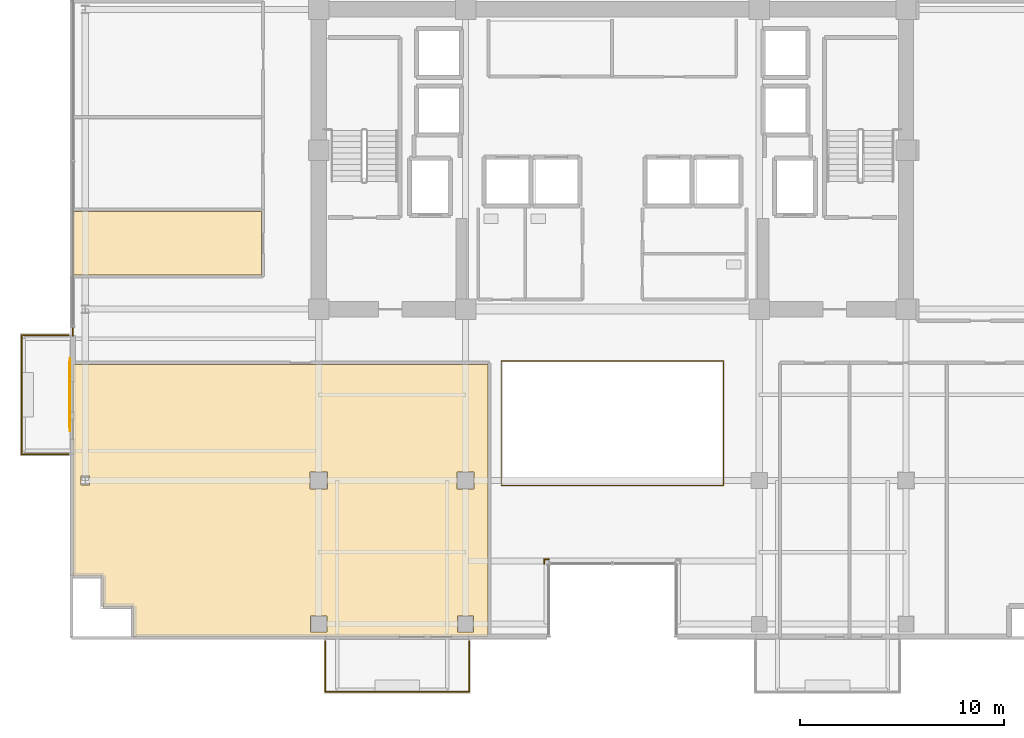
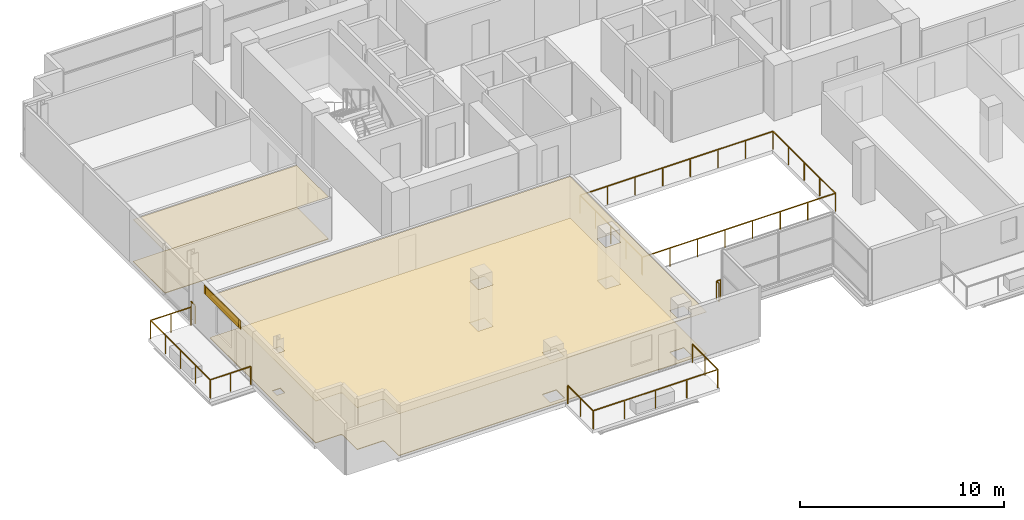
# One storey, part 18 of 21: 6 railings, 5 coverings, 1 shading device.
"""IFC4 building model written with IfcOpenShell, lengths in metres."""

from ifc_helpers import new_model, si_unit, direction, frame, origin, origin_2d, place, context, subcontext, project, spatial, polyline, rectangle, outline, extrude, source, transform, mapped, material, layer, layer_set, type_object, element, save


model = new_model("IFC4")

# Units and contexts
model_context = context("Model", 3, precision=1e-05, world=origin(), true_north=direction((0.0, 1.0)))
body_context = subcontext(model_context, "Body", "Model", "MODEL_VIEW")
ifc_project = project(units=[si_unit("LENGTHUNIT", "METRE"), si_unit("AREAUNIT", "SQUARE_METRE"), si_unit("VOLUMEUNIT", "CUBIC_METRE"), si_unit("PLANEANGLEUNIT", "RADIAN"), si_unit("MASSUNIT", "GRAM", prefix="KILO")], contexts=[model_context])

# Site, building, storey
site_placement = place(None, origin())
site = spatial("IfcSite", under=ifc_project, at=site_placement, CompositionType="ELEMENT")
building_placement = place(site_placement, origin())
building = spatial("IfcBuilding", under=site, at=building_placement, Name="Zarnakvel Exchange Tower", CompositionType="ELEMENT")
storey_placement = place(building_placement, frame((0.0, 0.0, 152.800048828125)))
storey = spatial("IfcBuildingStorey", under=building, at=storey_placement, Name="L42", CompositionType="ELEMENT", Elevation=152.800048828125)

# Coverings
ifc_material_1 = material(Name="Perforated Bronze Acoustic Metal Ceiling", Category="aluminium")
ifc_layer_1 = layer(ifc_material_1, 0.02001953125)
ifc_layer_set_1 = layer_set([ifc_layer_1], Name="Perforated Bronze Acoustic Metal Ceiling")
covering_type_1 = type_object("IfcCoveringType", Name="CLG-01", PredefinedType="CEILING", material=ifc_layer_set_1)
covering_1_placement = place(storey_placement, frame((0.0, 0.0, 2.5048828125)))
element("IfcCovering", 1, at=covering_1_placement, inside=storey, type_object=covering_type_1, Name="L42 Suspended Acoustic Ceiling (Institutional Dealing Room)", PredefinedType="CEILING", context=body_context, shape_type="SweptSolid", body=[
    extrude(outline(polyline([(-6.10009765625, -3.909912109375), (-6.10009765625, -17.25), (-23.47998046875, -17.25), (-23.47998046875, -15.89990234375), (-23.48046875, -15.88818359375), (-23.482421875, -15.876708984375), (-23.485107421875, -15.865234375), (-23.489013671875, -15.85400390625), (-23.494140625, -15.843505859375), (-23.500244140625, -15.833251953125), (-23.50732421875, -15.823974609375), (-23.51513671875, -15.815185546875), (-23.52392578125, -15.80712890625), (-23.533447265625, -15.80029296875), (-23.54345703125, -15.794189453125), (-23.55419921875, -15.7890625), (-23.565185546875, -15.78515625), (-23.57666015625, -15.7822265625), (-23.588134765625, -15.780517578125), (-23.60009765625, -15.780029296875), (-24.97998046875, -15.780029296875), (-24.97998046875, -14.39990234375), (-24.98046875, -14.38818359375), (-24.982421875, -14.376708984375), (-24.985107421875, -14.365234375), (-24.989013671875, -14.35400390625), (-24.994140625, -14.343505859375), (-25.000244140625, -14.333251953125), (-25.00732421875, -14.323974609375), (-25.01513671875, -14.315185546875), (-25.02392578125, -14.30712890625), (-25.033447265625, -14.30029296875), (-25.04345703125, -14.294189453125), (-25.05419921875, -14.2890625), (-25.065185546875, -14.28515625), (-25.07666015625, -14.2822265625), (-25.088134765625, -14.280517578125), (-25.10009765625, -14.280029296875), (-26.449951171875, -14.280029296875), (-26.449951171875, -3.909912109375), (-6.10009765625, -3.909912109375)]), holes=[polyline([(-6.780029296875, -10.02001953125), (-6.780029296875, -9.179931640625), (-7.6201171875, -9.179931640625), (-7.6201171875, -10.02001953125), (-6.780029296875, -10.02001953125)]), polyline([(-6.804931640625, -17.044921875), (-6.804931640625, -16.2548828125), (-7.594970703125, -16.2548828125), (-7.594970703125, -17.044921875), (-6.804931640625, -17.044921875)]), polyline([(-13.97998046875, -10.02001953125), (-13.97998046875, -9.179931640625), (-14.820068359375, -9.179931640625), (-14.820068359375, -10.02001953125), (-13.97998046875, -10.02001953125)]), polyline([(-14.0048828125, -16.2548828125), (-14.794921875, -16.2548828125), (-14.794921875, -17.044921875), (-14.0048828125, -17.044921875), (-14.0048828125, -16.2548828125)]), polyline([(-25.630615234375, -9.81689453125), (-25.630615234375, -9.38330078125), (-26.069580078125, -9.38330078125), (-26.069580078125, -9.81689453125), (-25.630615234375, -9.81689453125)])]), origin(), (0.0, 0.0, 1.0), 0.02001953125),
])
covering_2_placement = place(storey_placement, frame((0.0, 0.0, 2.5048828125)))
element("IfcCovering", 2, at=covering_2_placement, inside=storey, type_object=covering_type_1, Name="L42 Suspended Acoustic Ceiling (Breakout Pantry)", PredefinedType="CEILING", context=body_context, shape_type="SweptSolid", body=[
    extrude(outline(polyline([(-26.449951171875, 3.598388671875), (-17.2099609375, 3.598388671875), (-17.2099609375, 0.47119140625), (-26.449951171875, 0.47119140625), (-26.449951171875, 3.598388671875)])), origin(), (0.0, 0.0, 1.0), 0.02001953125),
])
ifc_material_2 = material(Name="Heavy-Duty Raised Access Floor Panel", Category="steel")
ifc_layer_2 = layer(ifc_material_2, 0.034912109375)
ifc_layer_set_2 = layer_set([ifc_layer_2], Name="Heavy-Duty Raised Access Floor Panel")
covering_type_2 = type_object("IfcCoveringType", Name="FLR-02", PredefinedType="FLOORING", material=ifc_layer_set_2)
covering_3_placement = place(storey_placement, origin())
element("IfcCovering", 3, at=covering_3_placement, inside=storey, type_object=covering_type_2, Name="L42 Floor Finish (Institutional Dealing Room)", PredefinedType="FLOORING", context=body_context, shape_type="SweptSolid", body=[
    extrude(outline(polyline([(-6.10009765625, -3.909912109375), (-6.10009765625, -17.25), (-23.47998046875, -17.25), (-23.47998046875, -15.89990234375), (-23.48046875, -15.88818359375), (-23.482421875, -15.876708984375), (-23.485107421875, -15.865234375), (-23.489013671875, -15.85400390625), (-23.494140625, -15.843505859375), (-23.500244140625, -15.833251953125), (-23.50732421875, -15.823974609375), (-23.51513671875, -15.815185546875), (-23.52392578125, -15.80712890625), (-23.533447265625, -15.80029296875), (-23.54345703125, -15.794189453125), (-23.55419921875, -15.7890625), (-23.565185546875, -15.78515625), (-23.57666015625, -15.7822265625), (-23.588134765625, -15.780517578125), (-23.60009765625, -15.780029296875), (-24.97998046875, -15.780029296875), (-24.97998046875, -14.39990234375), (-24.98046875, -14.38818359375), (-24.982421875, -14.376708984375), (-24.985107421875, -14.365234375), (-24.989013671875, -14.35400390625), (-24.994140625, -14.343505859375), (-25.000244140625, -14.333251953125), (-25.00732421875, -14.323974609375), (-25.01513671875, -14.315185546875), (-25.02392578125, -14.30712890625), (-25.033447265625, -14.30029296875), (-25.04345703125, -14.294189453125), (-25.05419921875, -14.2890625), (-25.065185546875, -14.28515625), (-25.07666015625, -14.2822265625), (-25.088134765625, -14.280517578125), (-25.10009765625, -14.280029296875), (-26.449951171875, -14.280029296875), (-26.449951171875, -3.909912109375), (-6.10009765625, -3.909912109375)]), holes=[polyline([(-6.780029296875, -10.02001953125), (-6.780029296875, -9.179931640625), (-7.6201171875, -9.179931640625), (-7.6201171875, -10.02001953125), (-6.780029296875, -10.02001953125)]), polyline([(-6.804931640625, -17.044921875), (-6.804931640625, -16.2548828125), (-7.594970703125, -16.2548828125), (-7.594970703125, -17.044921875), (-6.804931640625, -17.044921875)]), polyline([(-13.97998046875, -10.02001953125), (-13.97998046875, -9.179931640625), (-14.820068359375, -9.179931640625), (-14.820068359375, -10.02001953125), (-13.97998046875, -10.02001953125)]), polyline([(-14.0048828125, -16.2548828125), (-14.794921875, -16.2548828125), (-14.794921875, -17.044921875), (-14.0048828125, -17.044921875), (-14.0048828125, -16.2548828125)]), polyline([(-25.630615234375, -9.81689453125), (-25.630615234375, -9.38330078125), (-26.069580078125, -9.38330078125), (-26.069580078125, -9.81689453125), (-25.630615234375, -9.81689453125)])]), origin(), (0.0, 0.0, 1.0), 0.034912109375),
])
covering_4_placement = place(storey_placement, origin())
element("IfcCovering", 4, at=covering_4_placement, inside=storey, type_object=covering_type_2, Name="L42 Floor Finish (Breakout Pantry)", PredefinedType="FLOORING", context=body_context, shape_type="SweptSolid", body=[
    extrude(outline(polyline([(-26.449951171875, 3.598388671875), (-17.2099609375, 3.598388671875), (-17.2099609375, 0.47119140625), (-26.449951171875, 0.47119140625), (-26.449951171875, 3.598388671875)])), origin(), (0.0, 0.0, 1.0), 0.034912109375),
])

# Railings
ifc_material_3 = material(Name="Architectural Bronze Anodised Aluminium", Category="aluminium")
railing_type_1 = type_object("IfcRailingType", Name="GR-02", PredefinedType="GUARDRAIL", material=ifc_material_3)
railing_1_placement = place(storey_placement, frame((-14.070068359375, -17.47998046875, -0.03515625)))
element("IfcRailing", 5, at=railing_1_placement, inside=storey, type_object=railing_type_1, Name="L42 Balcony Guardrail BAL-L42-SW", PredefinedType="GUARDRAIL", context=body_context, shape_type="SweptSolid", body=[
    extrude(rectangle(XDim=0.048095703125, YDim=0.048095703125, at=origin_2d()), frame((0.0, 0.0, 1.09619140625), z_axis=(0.0, -1.0, 0.0), x_axis=(1.0, 0.0, 0.0)), (0.0, 0.0, 1.0), 2.489990234375),
    extrude(rectangle(XDim=0.048095703125, YDim=0.048095703125, at=origin_2d()), frame((0.0, -2.489990234375, 1.09619140625), z_axis=(1.0, 0.0, 0.0), x_axis=(0.0, 1.0, 0.0)), (0.0, 0.0, 1.0), 7.0400390625),
    extrude(rectangle(XDim=0.048095703125, YDim=0.048095703125, at=origin_2d()), frame((7.0400390625, -2.489990234375, 1.09619140625), z_axis=(0.0, 1.0, 0.0), x_axis=(-1.0, 0.0, 0.0)), (0.0, 0.0, 1.0), 2.489990234375),
    extrude(rectangle(XDim=0.0419921875, YDim=0.0419921875, at=origin_2d()), origin(), (0.0, 0.0, 1.0), 1.072021484375),
    extrude(rectangle(XDim=0.0419921875, YDim=0.0419921875, at=origin_2d()), frame((0.0, -1.2451171875, 0.0)), (0.0, 0.0, 1.0), 1.072021484375),
    extrude(rectangle(XDim=0.0419921875, YDim=0.0419921875, at=origin_2d()), frame((0.0, -2.489990234375, 0.0)), (0.0, 0.0, 1.0), 1.072021484375),
    extrude(rectangle(XDim=0.0419921875, YDim=0.0419921875, at=origin_2d()), frame((1.760009765625, -2.489990234375, 0.0)), (0.0, 0.0, 1.0), 1.072021484375),
    extrude(rectangle(XDim=0.0419921875, YDim=0.0419921875, at=origin_2d()), frame((3.52001953125, -2.489990234375, 0.0)), (0.0, 0.0, 1.0), 1.072021484375),
    extrude(rectangle(XDim=0.0419921875, YDim=0.0419921875, at=origin_2d()), frame((5.280029296875, -2.489990234375, 0.0)), (0.0, 0.0, 1.0), 1.072021484375),
    extrude(rectangle(XDim=0.0419921875, YDim=0.0419921875, at=origin_2d()), frame((7.0400390625, -2.489990234375, 0.0)), (0.0, 0.0, 1.0), 1.072021484375),
    extrude(rectangle(XDim=0.0419921875, YDim=0.0419921875, at=origin_2d()), frame((7.0400390625, -1.2451171875, 0.0)), (0.0, 0.0, 1.0), 1.072021484375),
    extrude(rectangle(XDim=0.0419921875, YDim=0.0419921875, at=origin_2d()), frame((7.0400390625, 0.0, 0.0)), (0.0, 0.0, 1.0), 1.072021484375),
])
railing_2_placement = place(storey_placement, frame((-26.679931640625, -8.320068359375, -0.03515625)))
element("IfcRailing", 6, at=railing_2_placement, inside=storey, type_object=railing_type_1, Name="L42 Balcony Guardrail BAL-L42-W", PredefinedType="GUARDRAIL", context=body_context, shape_type="SweptSolid", body=[
    extrude(rectangle(XDim=0.048095703125, YDim=0.048095703125, at=origin_2d()), frame((0.0, 0.0, 1.09619140625), z_axis=(-1.0, 0.0, 0.0), x_axis=(0.0, -1.0, 0.0)), (0.0, 0.0, 1.0), 2.2900390625),
    extrude(rectangle(XDim=0.048095703125, YDim=0.048095703125, at=origin_2d()), frame((-2.2900390625, 0.0, 1.09619140625), z_axis=(0.0, 1.0, 0.0), x_axis=(-1.0, 0.0, 0.0)), (0.0, 0.0, 1.0), 5.840087890625),
    extrude(rectangle(XDim=0.048095703125, YDim=0.048095703125, at=origin_2d()), frame((-2.2900390625, 5.840087890625, 1.09619140625), z_axis=(1.0, 0.0, 0.0), x_axis=(0.0, 1.0, 0.0)), (0.0, 0.0, 1.0), 2.2900390625),
    extrude(rectangle(XDim=0.0419921875, YDim=0.0419921875, at=origin_2d()), origin(), (0.0, 0.0, 1.0), 1.072021484375),
    extrude(rectangle(XDim=0.0419921875, YDim=0.0419921875, at=origin_2d()), frame((-1.14501953125, 0.0, 0.0)), (0.0, 0.0, 1.0), 1.072021484375),
    extrude(rectangle(XDim=0.0419921875, YDim=0.0419921875, at=origin_2d()), frame((-2.2900390625, 0.0, 0.0)), (0.0, 0.0, 1.0), 1.072021484375),
    extrude(rectangle(XDim=0.0419921875, YDim=0.0419921875, at=origin_2d()), frame((-2.2900390625, 1.4599609375, 0.0)), (0.0, 0.0, 1.0), 1.072021484375),
    extrude(rectangle(XDim=0.0419921875, YDim=0.0419921875, at=origin_2d()), frame((-2.2900390625, 2.919921875, 0.0)), (0.0, 0.0, 1.0), 1.072021484375),
    extrude(rectangle(XDim=0.0419921875, YDim=0.0419921875, at=origin_2d()), frame((-2.2900390625, 4.380126953125, 0.0)), (0.0, 0.0, 1.0), 1.072021484375),
    extrude(rectangle(XDim=0.0419921875, YDim=0.0419921875, at=origin_2d()), frame((-2.2900390625, 5.840087890625, 0.0)), (0.0, 0.0, 1.0), 1.072021484375),
    extrude(rectangle(XDim=0.0419921875, YDim=0.0419921875, at=origin_2d()), frame((-1.14501953125, 5.840087890625, 0.0)), (0.0, 0.0, 1.0), 1.072021484375),
    extrude(rectangle(XDim=0.0419921875, YDim=0.0419921875, at=origin_2d()), frame((0.0, 5.840087890625, 0.0)), (0.0, 0.0, 1.0), 1.072021484375),
])
railing_3_placement = place(storey_placement, frame((-26.4599609375, -2.5, 0.0)))
element("IfcRailing", 7, at=railing_3_placement, inside=storey, type_object=railing_type_1, Name="L42 Corner Spandrel Balustrade #2", PredefinedType="GUARDRAIL", context=body_context, shape_type="SweptSolid", body=[
    extrude(rectangle(XDim=0.048095703125, YDim=0.048095703125, at=origin_2d()), frame((0.0, 0.0, 1.09619140625), z_axis=(0.0, 1.0, 0.0), x_axis=(-1.0, 0.0, 0.0)), (0.0, 0.0, 1.0), 0.39990234375),
    extrude(rectangle(XDim=0.0419921875, YDim=0.0419921875, at=origin_2d()), origin(), (0.0, 0.0, 1.0), 1.072021484375),
    extrude(rectangle(XDim=0.0419921875, YDim=0.0419921875, at=origin_2d()), frame((0.0, 0.39990234375, 0.0)), (0.0, 0.0, 1.0), 1.072021484375),
])
railing_4_placement = place(storey_placement, frame((-3.1201171875, -13.4599609375, 0.0)))
element("IfcRailing", 8, at=railing_4_placement, inside=storey, type_object=railing_type_1, Name="L42 Corner Spandrel Balustrade #19", PredefinedType="GUARDRAIL", context=body_context, shape_type="SweptSolid", body=[
    extrude(rectangle(XDim=0.048095703125, YDim=0.048095703125, at=origin_2d()), frame((0.0, 0.0, 1.09619140625), z_axis=(-1.0, 0.0, 0.0), x_axis=(0.0, -1.0, 0.0)), (0.0, 0.0, 1.0), 0.219970703125),
    extrude(rectangle(XDim=0.0419921875, YDim=0.0419921875, at=origin_2d()), origin(), (0.0, 0.0, 1.0), 1.072021484375),
    extrude(rectangle(XDim=0.0419921875, YDim=0.0419921875, at=origin_2d()), frame((-0.219970703125, 0.0, 0.0)), (0.0, 0.0, 1.0), 1.072021484375),
])
railing_5_placement = place(storey_placement, frame((-3.340087890625, -13.4599609375, 0.0)))
element("IfcRailing", 9, at=railing_5_placement, inside=storey, type_object=railing_type_1, Name="L42 Corner Spandrel Balustrade #20", PredefinedType="GUARDRAIL", context=body_context, shape_type="SweptSolid", body=[
    extrude(rectangle(XDim=0.048095703125, YDim=0.048095703125, at=origin_2d()), frame((0.0, 0.0, 1.09619140625), z_axis=(0.0, -1.0, 0.0), x_axis=(1.0, 0.0, 0.0)), (0.0, 0.0, 1.0), 0.219970703125),
    extrude(rectangle(XDim=0.0419921875, YDim=0.0419921875, at=origin_2d()), origin(), (0.0, 0.0, 1.0), 1.072021484375),
    extrude(rectangle(XDim=0.0419921875, YDim=0.0419921875, at=origin_2d()), frame((0.0, -0.219970703125, 0.0)), (0.0, 0.0, 1.0), 1.072021484375),
])
railing_type_2 = type_object("IfcRailingType", Name="GR-03", PredefinedType="GUARDRAIL", material=ifc_material_3)
railing_6_placement = place(storey_placement, frame((-5.449951171875, -9.85009765625, 0.0)))
element("IfcRailing", 10, at=railing_6_placement, inside=storey, type_object=railing_type_2, Name="L42 Atrium Void Perimeter Balustrade", PredefinedType="GUARDRAIL", context=body_context, shape_type="SweptSolid", body=[
    extrude(rectangle(XDim=0.048095703125, YDim=0.048095703125, at=origin_2d()), frame((0.0, 0.0, 1.076171875), z_axis=(1.0, 0.0, 0.0), x_axis=(0.0, 1.0, 0.0)), (0.0, 0.0, 1.0), 10.89990234375),
    extrude(rectangle(XDim=0.048095703125, YDim=0.048095703125, at=origin_2d()), frame((10.89990234375, 0.0, 1.076171875), z_axis=(0.0, 1.0, 0.0), x_axis=(-1.0, 0.0, 0.0)), (0.0, 0.0, 1.0), 6.10009765625),
    extrude(rectangle(XDim=0.048095703125, YDim=0.048095703125, at=origin_2d()), frame((10.89990234375, 6.10009765625, 1.076171875), z_axis=(-1.0, 0.0, 0.0), x_axis=(0.0, -1.0, 0.0)), (0.0, 0.0, 1.0), 10.89990234375),
    extrude(rectangle(XDim=0.048095703125, YDim=0.048095703125, at=origin_2d()), frame((0.0, 6.10009765625, 1.076171875), z_axis=(0.0, -1.0, 0.0), x_axis=(1.0, 0.0, 0.0)), (0.0, 0.0, 1.0), 6.02001953125),
    extrude(rectangle(XDim=0.0419921875, YDim=0.0419921875, at=origin_2d()), origin(), (0.0, 0.0, 1.0), 1.052001953125),
    extrude(rectangle(XDim=0.0419921875, YDim=0.0419921875, at=origin_2d()), frame((1.55712890625, 0.0, 0.0)), (0.0, 0.0, 1.0), 1.052001953125),
    extrude(rectangle(XDim=0.0419921875, YDim=0.0419921875, at=origin_2d()), frame((3.1142578125, 0.0, 0.0)), (0.0, 0.0, 1.0), 1.052001953125),
    extrude(rectangle(XDim=0.0419921875, YDim=0.0419921875, at=origin_2d()), frame((4.67138671875, 0.0, 0.0)), (0.0, 0.0, 1.0), 1.052001953125),
    extrude(rectangle(XDim=0.0419921875, YDim=0.0419921875, at=origin_2d()), frame((6.228515625, 0.0, 0.0)), (0.0, 0.0, 1.0), 1.052001953125),
    extrude(rectangle(XDim=0.0419921875, YDim=0.0419921875, at=origin_2d()), frame((7.78564453125, 0.0, 0.0)), (0.0, 0.0, 1.0), 1.052001953125),
    extrude(rectangle(XDim=0.0419921875, YDim=0.0419921875, at=origin_2d()), frame((9.3427734375, 0.0, 0.0)), (0.0, 0.0, 1.0), 1.052001953125),
    extrude(rectangle(XDim=0.0419921875, YDim=0.0419921875, at=origin_2d()), frame((10.89990234375, 0.0, 0.0)), (0.0, 0.0, 1.0), 1.052001953125),
    extrude(rectangle(XDim=0.0419921875, YDim=0.0419921875, at=origin_2d()), frame((10.89990234375, 1.52490234375, 0.0)), (0.0, 0.0, 1.0), 1.052001953125),
    extrude(rectangle(XDim=0.0419921875, YDim=0.0419921875, at=origin_2d()), frame((10.89990234375, 3.050048828125, 0.0)), (0.0, 0.0, 1.0), 1.052001953125),
    extrude(rectangle(XDim=0.0419921875, YDim=0.0419921875, at=origin_2d()), frame((10.89990234375, 4.5751953125, 0.0)), (0.0, 0.0, 1.0), 1.052001953125),
    extrude(rectangle(XDim=0.0419921875, YDim=0.0419921875, at=origin_2d()), frame((10.89990234375, 6.10009765625, 0.0)), (0.0, 0.0, 1.0), 1.052001953125),
    extrude(rectangle(XDim=0.0419921875, YDim=0.0419921875, at=origin_2d()), frame((9.3427734375, 6.10009765625, 0.0)), (0.0, 0.0, 1.0), 1.052001953125),
    extrude(rectangle(XDim=0.0419921875, YDim=0.0419921875, at=origin_2d()), frame((7.78564453125, 6.10009765625, 0.0)), (0.0, 0.0, 1.0), 1.052001953125),
    extrude(rectangle(XDim=0.0419921875, YDim=0.0419921875, at=origin_2d()), frame((6.228515625, 6.10009765625, 0.0)), (0.0, 0.0, 1.0), 1.052001953125),
    extrude(rectangle(XDim=0.0419921875, YDim=0.0419921875, at=origin_2d()), frame((4.67138671875, 6.10009765625, 0.0)), (0.0, 0.0, 1.0), 1.052001953125),
    extrude(rectangle(XDim=0.0419921875, YDim=0.0419921875, at=origin_2d()), frame((3.1142578125, 6.10009765625, 0.0)), (0.0, 0.0, 1.0), 1.052001953125),
    extrude(rectangle(XDim=0.0419921875, YDim=0.0419921875, at=origin_2d()), frame((1.55712890625, 6.10009765625, 0.0)), (0.0, 0.0, 1.0), 1.052001953125),
    extrude(rectangle(XDim=0.0419921875, YDim=0.0419921875, at=origin_2d()), frame((0.0, 6.10009765625, 0.0)), (0.0, 0.0, 1.0), 1.052001953125),
    extrude(rectangle(XDim=0.0419921875, YDim=0.0419921875, at=origin_2d()), frame((0.0, 4.59521484375, 0.0)), (0.0, 0.0, 1.0), 1.052001953125),
    extrude(rectangle(XDim=0.0419921875, YDim=0.0419921875, at=origin_2d()), frame((0.0, 3.090087890625, 0.0)), (0.0, 0.0, 1.0), 1.052001953125),
    extrude(rectangle(XDim=0.0419921875, YDim=0.0419921875, at=origin_2d()), frame((0.0, 1.5849609375, 0.0)), (0.0, 0.0, 1.0), 1.052001953125),
    extrude(rectangle(XDim=0.0419921875, YDim=0.0419921875, at=origin_2d()), frame((0.0, 0.080078125, 0.0)), (0.0, 0.0, 1.0), 1.052001953125),
])

# Covering
ifc_material_4 = material(Name="Warm Sandstone Terracotta Spandrel Tile", Category="masonry")
ifc_layer_3 = layer(ifc_material_4, 0.031982421875)
ifc_layer_set_3 = layer_set([ifc_layer_3], Name="Warm Sandstone Terracotta Spandrel Tile")
covering_type_3 = type_object("IfcCoveringType", Name="CL-02", PredefinedType="CLADDING", material=ifc_layer_set_3)
shared_shape_1 = source(origin(), body_context, "Body", "SweptSolid", [
    extrude(rectangle(XDim=3.60009765625, YDim=0.031982421875, at=origin_2d()), origin(), (0.0, 0.0, 1.0), 0.4951171875),
])
covering_5_placement = place(storey_placement, frame((-26.593994140625, -5.39990234375, 2.559814453125), z_axis=(0.0, 0.0, 1.0), x_axis=(0.0, 1.0, 0.0)))
element("IfcCovering", 11, at=covering_5_placement, inside=storey, type_object=covering_type_3, Name="L42 Ceramic Spandrel Tilework CL-02", PredefinedType="CLADDING", context=body_context, shape_type="MappedRepresentation", body=[
    mapped(shared_shape_1, transform((0.0, 0.0, 0.0), x_axis=(1.0, 0.0, 0.0), y_axis=(0.0, 1.0, 0.0), z_axis=(0.0, 0.0, 1.0), scale=1.0)),
])

# Shading device
ifc_material_5 = material(Name="Perforated Architectural Bronze Screen", Category="aluminium")
ifc_layer_4 = layer(ifc_material_5, 0.044921875)
ifc_layer_set_4 = layer_set([ifc_layer_4], Name="Perforated Architectural Bronze Screen")
shading_device_type = type_object("IfcShadingDeviceType", Name="SS-01", PredefinedType="JALOUSIE", material=ifc_layer_set_4)
shared_shape_2 = source(origin(), body_context, "Body", "SweptSolid", [
    extrude(rectangle(XDim=3.199951171875, YDim=0.044921875, at=origin_2d()), origin(), (0.0, 0.0, 1.0), 0.4951171875),
])
shading_device_placement = place(storey_placement, frame((-26.6005859375, -5.39990234375, 2.559814453125), z_axis=(0.0, 0.0, 1.0), x_axis=(0.0, 1.0, 0.0)))
element("IfcShadingDevice", 12, at=shading_device_placement, inside=storey, type_object=shading_device_type, Name="L42 Bronze Solar Shading Screen SS-01", PredefinedType="JALOUSIE", context=body_context, shape_type="MappedRepresentation", body=[
    mapped(shared_shape_2, transform((0.0, 0.0, 0.0), x_axis=(1.0, 0.0, 0.0), y_axis=(0.0, 1.0, 0.0), z_axis=(0.0, 0.0, 1.0), scale=1.0)),
])

save(model, "model.ifc")
